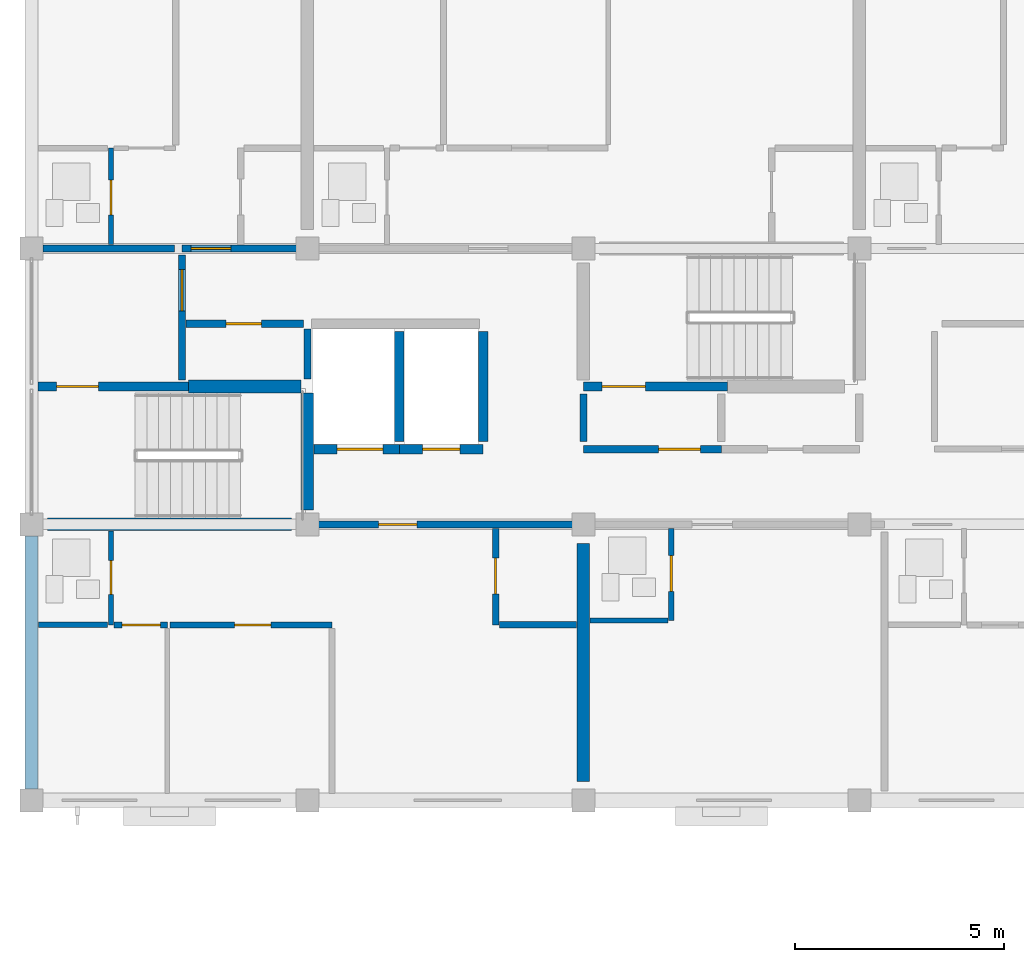
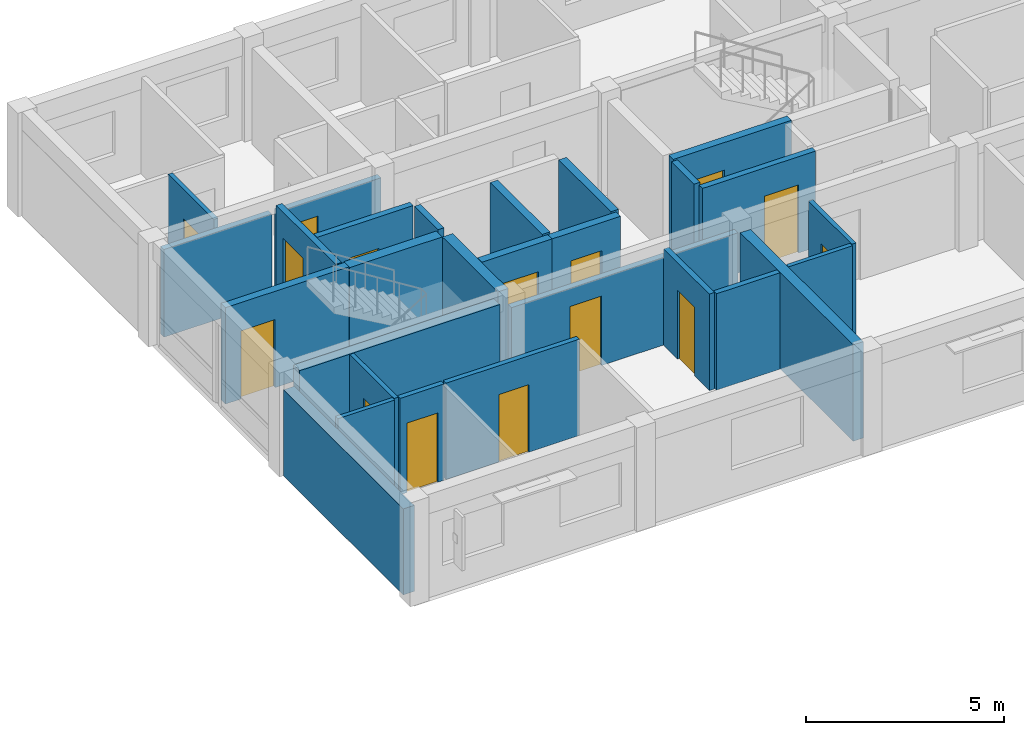
# One storey, part 34 of 53: 28 walls, 15 doors, 15 openings.
"""IFC4 building model written with IfcOpenShell, lengths in metres."""

import ifcopenshell
import ifcopenshell.guid

model = None  # the IFC model being written
_history = None  # IfcOwnerHistory: only IFC2X3 demands one
_inside = {}  # id of a spatial element -> (the spatial element, [elements in it])
_under = {}  # id of a project, library or spatial element -> (it, [spatial elements below it])
_declared = {}  # id of a project -> (the project, [libraries it declares])
_typed = {}  # id of a type object -> (the type object, [elements of that type])
_made_of = {}  # id of a material, layer set ... -> (it, [elements and type objects made of it])


def new_model(schema):
    """Start an empty IFC model of exactly this schema.

    Asked for "IFC4X3", IfcOpenShell would pick the latest addendum, in which some entities
    have other attributes; the version numbers below select the first issue.
    IFC2X3 requires an IfcOwnerHistory on every rooted entity: one is made here for all.
    """
    global model, _history
    if schema == "IFC4X3":
        model = ifcopenshell.file(schema_version=(4, 3, 0, 0))
    else:
        model = ifcopenshell.file(schema=schema)
    _inside.clear()
    _under.clear()
    _declared.clear()
    _typed.clear()
    _made_of.clear()
    _history = None
    if model.schema == "IFC2X3":
        org = make("IfcOrganization", Name="unknown")
        user = make(
            "IfcPersonAndOrganization",
            ThePerson=make("IfcPerson", FamilyName="unknown"),
            TheOrganization=org,
        )
        app = make(
            "IfcApplication",
            ApplicationDeveloper=org,
            Version="unknown",
            ApplicationFullName="unknown",
            ApplicationIdentifier="unknown",
        )
        _history = make(
            "IfcOwnerHistory",
            OwningUser=user,
            OwningApplication=app,
            ChangeAction="ADDED",
            CreationDate=0,
        )
    return model


def make(cls, **values):
    """One entity of the class cls with the attributes given. An attribute that is None is left unset."""
    return model.create_entity(
        cls, **{name: value for name, value in values.items() if value is not None}
    )


def rooted(cls, **values):
    """An entity with a GlobalId (a new one), such as an element, a storey or a relation."""
    return make(cls, GlobalId=ifcopenshell.guid.new(), OwnerHistory=_history, **values)


def si_unit(unit_type, name, prefix=None):
    """IfcSIUnit, for example si_unit("LENGTHUNIT", "METRE", prefix="MILLI")."""
    return make("IfcSIUnit", UnitType=unit_type, Prefix=prefix, Name=name)


def assignment(units):
    """IfcUnitAssignment: the units of a project."""
    return None if units is None else make("IfcUnitAssignment", Units=units)


def point(xyz):
    """IfcCartesianPoint."""
    return None if xyz is None else make("IfcCartesianPoint", Coordinates=xyz)


def direction(xyz):
    """IfcDirection."""
    return None if xyz is None else make("IfcDirection", DirectionRatios=xyz)


def frame(location, z_axis=None, x_axis=None):
    """IfcAxis2Placement3D, a coordinate frame: its origin and axes. An axis left out is left unset."""
    return make(
        "IfcAxis2Placement3D",
        Location=point(location),
        Axis=direction(z_axis),
        RefDirection=direction(x_axis),
    )


def frame_2d(location, x_axis=None):
    """IfcAxis2Placement2D, a coordinate frame in the plane: its origin and x axis."""
    return make(
        "IfcAxis2Placement2D", Location=point(location), RefDirection=direction(x_axis)
    )


def origin():
    """The frame at (0, 0, 0) with its axes left unset."""
    return frame((0.0, 0.0, 0.0))


def place(relative_to, where):
    """IfcLocalPlacement: puts the frame where relative to a parent placement (None: the world)."""
    return make(
        "IfcLocalPlacement", PlacementRelTo=relative_to, RelativePlacement=where
    )


def context(
    kind, dimensions, precision=None, world=None, true_north=None, identifier=None
):
    """IfcGeometricRepresentationContext, for example the 3D "Model" context."""
    return make(
        "IfcGeometricRepresentationContext",
        ContextIdentifier=identifier,
        ContextType=kind,
        CoordinateSpaceDimension=dimensions,
        Precision=precision,
        WorldCoordinateSystem=world,
        TrueNorth=true_north,
    )


def subcontext(parent, identifier, kind, view, scale=None):
    """IfcGeometricRepresentationSubContext, for example "Body" below "Model"."""
    return make(
        "IfcGeometricRepresentationSubContext",
        ContextIdentifier=identifier,
        ContextType=kind,
        ParentContext=parent,
        TargetScale=scale,
        TargetView=view,
    )


def project(units=None, contexts=None):
    """IfcProject with its units and contexts."""
    return rooted(
        "IfcProject",
        Name="project",
        RepresentationContexts=contexts,
        UnitsInContext=assignment(units),
    )


def spatial(cls, under=None, at=None, **own):
    """A site, building, storey or space (cls), placed at a placement, below another one or the project."""
    s = rooted(cls, ObjectPlacement=at, **own)
    if under is not None:
        _under.setdefault(under.id(), (under, []))[1].append(s)
    return s


def profile(cls, at=None, kind="AREA", **sizes):
    """A parametric profile (cls). Its sizes go by their IFC names, for example OverallWidth=200.0."""
    return make(cls, ProfileType=kind, Position=at, **sizes)


def rectangle(**sizes):
    """IfcRectangleProfileDef."""
    return profile("IfcRectangleProfileDef", **sizes)


def extrude(swept, where, along, depth):
    """IfcExtrudedAreaSolid: the profile swept, set in the frame where, extruded along a direction by depth."""
    return make(
        "IfcExtrudedAreaSolid",
        SweptArea=swept,
        Position=where,
        ExtrudedDirection=direction(along),
        Depth=depth,
    )


def shape(context_of_items, identifier, shape_type, items):
    """IfcShapeRepresentation: the items that make up one representation, for example the "Body"."""
    return make(
        "IfcShapeRepresentation",
        ContextOfItems=context_of_items,
        RepresentationIdentifier=identifier,
        RepresentationType=shape_type,
        Items=items,
    )


def material(Name=None, Category=None):
    """IfcMaterial."""
    return make("IfcMaterial", Name=Name, Category=Category)


def layer(
    of_material, thickness, ventilated=None, Name=None, Category=None, Priority=None
):
    """IfcMaterialLayer: one layer of a wall or slab, of a material (None: an air gap)."""
    return make(
        "IfcMaterialLayer",
        Material=of_material,
        LayerThickness=thickness,
        IsVentilated=ventilated,
        Name=Name,
        Category=Category,
        Priority=Priority,
    )


def layer_set(layers, Name=None):
    """IfcMaterialLayerSet."""
    return make("IfcMaterialLayerSet", MaterialLayers=layers, LayerSetName=Name)


def made_of(thing, what):
    """Note that an element or type object is made of a material, layer set ...; save() writes the relation."""
    if what is not None:
        _made_of.setdefault(what.id(), (what, []))[1].append(thing)
    return thing


def type_object(cls, material=None, **own):
    """A type object (cls), such as IfcWallType, which elements share."""
    return made_of(rooted(cls, **own), material)


def element(
    cls,
    number,
    at=None,
    inside=None,
    cuts=None,
    type_object=None,
    material=None,
    context=None,
    identifier="Body",
    shape_type=None,
    held_by="IfcProductDefinitionShape",
    body=None,
    shapes=None,
    **own,
):
    """One element of the class cls, such as IfcWall. Its Tag is "e" and its number.

    at: its placement. inside: the storey or other place that contains it. cuts: it is an
    opening in that element (IfcRelVoidsElement). A single representation is given by context,
    identifier, shape_type and body (its items); several are given by shapes. held_by: the class
    of the entity that holds the representations. save() writes the other relations.
    """
    e = rooted(cls, Tag="e%d" % number, ObjectPlacement=at, **own)
    if body is not None:
        shapes = [shape(context, identifier, shape_type, body)]
    if shapes is not None:
        e.Representation = make(held_by, Representations=shapes)
    if inside is not None:
        _inside.setdefault(inside.id(), (inside, []))[1].append(e)
    if cuts is not None:
        rooted(
            "IfcRelVoidsElement", RelatingBuildingElement=cuts, RelatedOpeningElement=e
        )
    if type_object is not None:
        _typed.setdefault(type_object.id(), (type_object, []))[1].append(e)
    return made_of(e, material)


def fill(opening, filler):
    """IfcRelFillsElement: the door or window that sits in an opening."""
    return rooted(
        "IfcRelFillsElement",
        RelatingOpeningElement=opening,
        RelatedBuildingElement=filler,
    )


def aggregate(whole, parts):
    """IfcRelAggregates: a whole, such as a stair, and the parts it consists of."""
    return rooted("IfcRelAggregates", RelatingObject=whole, RelatedObjects=parts)


def save(model, path):
    """Write the relations noted so far, then the file.

    IfcRelAggregates (storeys below a building ...), IfcRelContainedInSpatialStructure (elements
    in a storey), IfcRelDefinesByType, IfcRelAssociatesMaterial and IfcRelDeclares: one each for
    every whole, place, type object, material and project.
    """
    for whole, parts in _under.values():
        aggregate(whole, parts)
    for where, things in _inside.values():
        rooted(
            "IfcRelContainedInSpatialStructure",
            RelatedElements=things,
            RelatingStructure=where,
        )
    for kind, things in _typed.values():
        rooted("IfcRelDefinesByType", RelatedObjects=things, RelatingType=kind)
    for what, things in _made_of.values():
        rooted("IfcRelAssociatesMaterial", RelatedObjects=things, RelatingMaterial=what)
    for by, libraries in _declared.values():
        rooted("IfcRelDeclares", RelatingContext=by, RelatedDefinitions=libraries)
    model.write(path)


model = new_model("IFC4")

# Units and contexts
model_context = context("Model", 3, precision=1e-05, world=origin(), true_north=direction((0.0, 1.0)))
body_context = subcontext(model_context, "Body", "Model", "MODEL_VIEW")
ifc_project = project(units=[si_unit("LENGTHUNIT", "METRE"), si_unit("AREAUNIT", "SQUARE_METRE"), si_unit("VOLUMEUNIT", "CUBIC_METRE"), si_unit("PLANEANGLEUNIT", "RADIAN"), si_unit("MASSUNIT", "GRAM", prefix="KILO")], contexts=[model_context])

# Site, building, storey
site_placement = place(None, origin())
site = spatial("IfcSite", under=ifc_project, at=site_placement, CompositionType="ELEMENT")
building_placement = place(site_placement, origin())
building = spatial("IfcBuilding", under=site, at=building_placement, Name="Kernevlak Ridge Housing Community", CompositionType="ELEMENT")
storey_placement = place(building_placement, frame((0.0, 0.0, 24.39990234375)))
storey = spatial("IfcBuildingStorey", under=building, at=storey_placement, Name="L07", CompositionType="ELEMENT", Elevation=24.39990234375)

# Wall
ifc_material_1 = material(Name="Concrete block masonry M10", Category="masonry")
ifc_layer_1 = layer(ifc_material_1, 0.320068359375, Name="Concrete block masonry M10")
ifc_layer_set_1 = layer_set([ifc_layer_1], Name="Concrete block masonry M10")
wall_type_1 = type_object("IfcWallType", Name="EW-02", PredefinedType="STANDARD", material=ifc_layer_set_1)
wall_1_placement = place(storey_placement, frame((15.60009765625, 76.27490234375, 0.0), z_axis=(0.0, 0.0, 1.0), x_axis=(0.0, 1.0, 0.0)))
element("IfcWall", 1, at=wall_1_placement, inside=storey, type_object=wall_type_1, Name="Exterior wall EW-02 L07 121", PredefinedType="STANDARD", context=body_context, shape_type="SweptSolid", body=[
    extrude(rectangle(XDim=6.050048828125, YDim=0.320068359375, at=frame_2d((3.02490234375, 0.0))), origin(), (0.0, 0.0, 1.0), 2.650146484375),
])

# Wall, opening, door
ifc_material_2 = material(Name="Concrete C35/45", Category="concrete")
ifc_layer_2 = layer(ifc_material_2, 0.22509765625, Name="Concrete C35/45")
ifc_layer_set_2 = layer_set([ifc_layer_2], Name="Concrete C35/45")
wall_type_2 = type_object("IfcWallType", Name="PW-01", PredefinedType="STANDARD", material=ifc_layer_set_2)
wall_2_placement = place(storey_placement, frame((15.75, 85.89990234375, 0.0), z_axis=(0.0, 0.0, 1.0), x_axis=(1.0, 0.0, 0.0)))
wall_2 = element("IfcWall", 2, at=wall_2_placement, inside=storey, type_object=wall_type_2, Name="Interior wall PW-01 WAL-INT-L07-0439", PredefinedType="STANDARD", context=body_context, shape_type="SweptSolid", body=[
    extrude(rectangle(XDim=3.60009765625, YDim=0.22509765625, at=frame_2d((1.800048828125, 0.0))), origin(), (0.0, 0.0, 1.0), 2.97021484375),
])
opening_1_placement = place(wall_2_placement, frame((0.449951171875, 0.0, 0.0)))
opening_1 = element("IfcOpeningElement", 3, at=opening_1_placement, cuts=wall_2, Name="Opening D222", PredefinedType="OPENING", context=body_context, shape_type="SweptSolid", body=[
    extrude(rectangle(XDim=1.0, YDim=2.10009765625, at=frame_2d((0.5, 1.050048828125))), frame((0.0, 0.12255859375, 0.0), z_axis=(0.0, -1.0, 0.0), x_axis=(1.0, 0.0, 0.0)), (0.0, 0.0, 1.0), 0.2451171875),
])
ifc_material_3 = material(Name="Fire-rated sheet steel leaf", Category="steel")
door_type_1 = type_object("IfcDoorType", Name="DT-05", OperationType="NOTDEFINED", PredefinedType="DOOR", material=ifc_material_3)
door_1_placement = place(opening_1_placement, origin())
door_1 = element("IfcDoor", 4, at=door_1_placement, inside=storey, type_object=door_type_1, Name="Block A Stair 1 fire door D222", OperationType="SINGLE_SWING_RIGHT", OverallHeight=2.10009765625, OverallWidth=1.0, PredefinedType="DOOR", context=body_context, shape_type="SweptSolid", body=[
    extrude(rectangle(XDim=1.0, YDim=2.10009765625, at=frame_2d((0.5, 1.050048828125))), frame((0.0, 0.02490234375, 0.0), z_axis=(0.0, -1.0, 0.0), x_axis=(1.0, 0.0, 0.0)), (0.0, 0.0, 1.0), 0.050048828125),
])
fill(opening_1, door_1)

wall_3_placement = place(storey_placement, frame((22.360107421875, 84.39990234375, 0.0), z_axis=(0.0, 0.0, 1.0), x_axis=(1.0, 0.0, 0.0)))
wall_3 = element("IfcWall", 5, at=wall_3_placement, inside=storey, type_object=wall_type_2, Name="Interior wall PW-01 WAL-INT-L07-0443", PredefinedType="STANDARD", context=body_context, shape_type="SweptSolid", body=[
    extrude(rectangle(XDim=2.039794921875, YDim=0.22509765625, at=frame_2d((1.02001953125, 0.0))), origin(), (0.0, 0.0, 1.0), 2.97021484375),
])
opening_2_placement = place(wall_3_placement, frame((0.550048828125, 0.0, 0.0)))
opening_2 = element("IfcOpeningElement", 6, at=opening_2_placement, cuts=wall_3, Name="Opening LD16", PredefinedType="OPENING", context=body_context, shape_type="SweptSolid", body=[
    extrude(rectangle(XDim=1.10009765625, YDim=2.10009765625, at=frame_2d((0.550048828125, 1.050048828125))), frame((0.0, 0.12255859375, 0.0), z_axis=(0.0, -1.0, 0.0), x_axis=(1.0, 0.0, 0.0)), (0.0, 0.0, 1.0), 0.2451171875),
])
ifc_material_4 = material(Name="Stainless steel EN 1.4401", Category="steel")
door_type_2 = type_object("IfcDoorType", Name="DT-LD1", OperationType="DOUBLE_DOOR_SLIDING", PredefinedType="DOOR", material=ifc_material_4)
door_2_placement = place(opening_2_placement, origin())
door_2 = element("IfcDoor", 7, at=door_2_placement, inside=storey, type_object=door_type_2, Name="Lift LF-A1 landing door LD16", OperationType="DOUBLE_DOOR_SLIDING", OverallHeight=2.10009765625, OverallWidth=1.10009765625, PredefinedType="DOOR", context=body_context, shape_type="SweptSolid", body=[
    extrude(rectangle(XDim=1.10009765625, YDim=2.10009765625, at=frame_2d((0.550048828125, 1.050048828125))), frame((0.0, 0.02490234375, 0.0), z_axis=(0.0, -1.0, 0.0), x_axis=(1.0, 0.0, 0.0)), (0.0, 0.0, 1.0), 0.050048828125),
])
fill(opening_2, door_2)

wall_4_placement = place(storey_placement, frame((24.39990234375, 84.39990234375, 0.0), z_axis=(0.0, 0.0, 1.0), x_axis=(1.0, 0.0, 0.0)))
wall_4 = element("IfcWall", 8, at=wall_4_placement, inside=storey, type_object=wall_type_2, Name="Interior wall PW-01 WAL-INT-L07-0444", PredefinedType="STANDARD", context=body_context, shape_type="SweptSolid", body=[
    extrude(rectangle(XDim=2.0, YDim=0.22509765625, at=frame_2d((1.0, 0.0))), origin(), (0.0, 0.0, 1.0), 2.97021484375),
])
opening_3_placement = place(wall_4_placement, frame((0.550048828125, 0.0, 0.0)))
opening_3 = element("IfcOpeningElement", 9, at=opening_3_placement, cuts=wall_4, Name="Opening LD17", PredefinedType="OPENING", context=body_context, shape_type="SweptSolid", body=[
    extrude(rectangle(XDim=0.89990234375, YDim=2.10009765625, at=frame_2d((0.449951171875, 1.050048828125))), frame((0.0, 0.12255859375, 0.0), z_axis=(0.0, -1.0, 0.0), x_axis=(1.0, 0.0, 0.0)), (0.0, 0.0, 1.0), 0.2451171875),
])
door_type_3 = type_object("IfcDoorType", Name="DT-LD2", OperationType="DOUBLE_DOOR_SLIDING", PredefinedType="DOOR", material=ifc_material_4)
door_3_placement = place(opening_3_placement, origin())
door_3 = element("IfcDoor", 10, at=door_3_placement, inside=storey, type_object=door_type_3, Name="Lift LF-A2 landing door LD17", OperationType="DOUBLE_DOOR_SLIDING", OverallHeight=2.10009765625, OverallWidth=0.89990234375, PredefinedType="DOOR", context=body_context, shape_type="SweptSolid", body=[
    extrude(rectangle(XDim=0.89990234375, YDim=2.10009765625, at=frame_2d((0.449951171875, 1.050048828125))), frame((0.0, 0.02490234375, 0.0), z_axis=(0.0, -1.0, 0.0), x_axis=(1.0, 0.0, 0.0)), (0.0, 0.0, 1.0), 0.050048828125),
])
fill(opening_3, door_3)

# Walls
for number, where, z_axis, x_axis, name in (
    (11, (24.39990234375, 84.580078125, 0.0), (0.0, 0.0, 1.0), (0.0, 1.0, 0.0), "Interior wall PW-01 WAL-INT-L07-0447"),
    (12, (26.39990234375, 84.580078125, 0.0), (0.0, 0.0, 1.0), (0.0, 1.0, 0.0), "Interior wall PW-01 WAL-INT-L07-0448"),
):
    element("IfcWall", number, at=place(storey_placement, frame(where, z_axis=z_axis, x_axis=x_axis)), inside=storey, type_object=wall_type_2, Name=name, PredefinedType="STANDARD", context=body_context, shape_type="SweptSolid", body=[
        extrude(rectangle(XDim=2.639892578125, YDim=0.22509765625, at=frame_2d((1.31982421875, 0.0))), origin(), (0.0, 0.0, 1.0), 2.97021484375),
    ])

# Wall, opening, door
wall_5_placement = place(storey_placement, frame((28.800048828125, 85.89990234375, 0.0), z_axis=(0.0, 0.0, 1.0), x_axis=(1.0, 0.0, 0.0)))
wall_5 = element("IfcWall", 13, at=wall_5_placement, inside=storey, type_object=wall_type_2, Name="Interior wall PW-01 WAL-INT-L07-0449", PredefinedType="STANDARD", context=body_context, shape_type="SweptSolid", body=[
    extrude(rectangle(XDim=3.449951171875, YDim=0.22509765625, at=frame_2d((1.72509765625, 0.0))), origin(), (0.0, 0.0, 1.0), 2.97021484375),
])
opening_4_placement = place(wall_5_placement, frame((0.449951171875, 0.0, 0.0)))
opening_4 = element("IfcOpeningElement", 14, at=opening_4_placement, cuts=wall_5, Name="Opening D225", PredefinedType="OPENING", context=body_context, shape_type="SweptSolid", body=[
    extrude(rectangle(XDim=1.0400390625, YDim=2.1201171875, at=frame_2d((0.52001953125, 1.06005859375))), frame((0.0, 0.12255859375, 0.0), z_axis=(0.0, -1.0, 0.0), x_axis=(1.0, 0.0, 0.0)), (0.0, 0.0, 1.0), 0.2451171875),
])
door_type_4 = type_object("IfcDoorType", Name="DT-16", OperationType="NOTDEFINED", PredefinedType="DOOR", material=ifc_material_3)
door_4_placement = place(opening_4_placement, origin())
door_4 = element("IfcDoor", 15, at=door_4_placement, inside=storey, type_object=door_type_4, Name="Block A Stair 2 fire door D225", OperationType="SINGLE_SWING_LEFT", OverallHeight=2.1201171875, OverallWidth=1.0400390625, PredefinedType="DOOR", context=body_context, shape_type="SweptSolid", body=[
    extrude(rectangle(XDim=1.0400390625, YDim=2.1201171875, at=frame_2d((0.52001953125, 1.06005859375))), frame((0.0, 0.02490234375, 0.0), z_axis=(0.0, -1.0, 0.0), x_axis=(1.0, 0.0, 0.0)), (0.0, 0.0, 1.0), 0.050048828125),
])
fill(opening_4, door_4)

ifc_layer_3 = layer(ifc_material_1, 0.175048828125, Name="Concrete block masonry M10")
ifc_layer_set_3 = layer_set([ifc_layer_3], Name="Concrete block masonry M10")
wall_type_3 = type_object("IfcWallType", Name="PW-02", PredefinedType="PARTITIONING", material=ifc_layer_set_3)
wall_6_placement = place(storey_placement, frame((19.199951171875, 86.050048828125, 0.0), z_axis=(0.0, 0.0, 1.0), x_axis=(0.0, 1.0, 0.0)))
wall_6 = element("IfcWall", 16, at=wall_6_placement, inside=storey, type_object=wall_type_3, Name="Interior wall PW-02 WAL-INT-L07-0440", PredefinedType="PARTITIONING", context=body_context, shape_type="SweptSolid", body=[
    extrude(rectangle(XDim=3.0, YDim=0.175048828125, at=frame_2d((1.5, 0.0))), origin(), (0.0, 0.0, 1.0), 2.97021484375),
])
opening_5_placement = place(wall_6_placement, frame((1.64990234375, 0.0, 0.0)))
opening_5 = element("IfcOpeningElement", 17, at=opening_5_placement, cuts=wall_6, Name="Opening D223", PredefinedType="OPENING", context=body_context, shape_type="SweptSolid", body=[
    extrude(rectangle(XDim=1.0, YDim=2.159912109375, at=frame_2d((0.5, 1.080078125))), frame((0.0, 0.097412109375, 0.0), z_axis=(0.0, -1.0, 0.0), x_axis=(1.0, 0.0, 0.0)), (0.0, 0.0, 1.0), 0.195068359375),
])
door_type_5 = type_object("IfcDoorType", Name="DT-15", OperationType="NOTDEFINED", PredefinedType="DOOR", material=ifc_material_3)
door_5_placement = place(opening_5_placement, origin())
door_5 = element("IfcDoor", 18, at=door_5_placement, inside=storey, type_object=door_type_5, Name="Block A Firefighting lobby 1 door D223", OperationType="SINGLE_SWING_LEFT", OverallHeight=2.159912109375, OverallWidth=1.0, PredefinedType="DOOR", context=body_context, shape_type="SweptSolid", body=[
    extrude(rectangle(XDim=1.0, YDim=2.159912109375, at=frame_2d((0.5, 1.080078125))), frame((0.0, 0.02490234375, 0.0), z_axis=(0.0, -1.0, 0.0), x_axis=(1.0, 0.0, 0.0)), (0.0, 0.0, 1.0), 0.050048828125),
])
fill(opening_5, door_5)

wall_7_placement = place(storey_placement, frame((19.300048828125, 87.39990234375, 0.0), z_axis=(0.0, 0.0, 1.0), x_axis=(1.0, 0.0, 0.0)))
wall_7 = element("IfcWall", 19, at=wall_7_placement, inside=storey, type_object=wall_type_3, Name="Interior wall PW-02 WAL-INT-L07-0441", PredefinedType="PARTITIONING", context=body_context, shape_type="SweptSolid", body=[
    extrude(rectangle(XDim=2.800048828125, YDim=0.175048828125, at=frame_2d((1.39990234375, 0.0))), origin(), (0.0, 0.0, 1.0), 2.97021484375),
])
opening_6_placement = place(wall_7_placement, frame((0.949951171875, 0.0, 0.0)))
opening_6 = element("IfcOpeningElement", 20, at=opening_6_placement, cuts=wall_7, Name="Opening D224", PredefinedType="OPENING", context=body_context, shape_type="SweptSolid", body=[
    extrude(rectangle(XDim=0.85009765625, YDim=2.0, at=frame_2d((0.425048828125, 1.0))), frame((0.0, 0.097412109375, 0.0), z_axis=(0.0, -1.0, 0.0), x_axis=(1.0, 0.0, 0.0)), (0.0, 0.0, 1.0), 0.195068359375),
])
door_type_6 = type_object("IfcDoorType", Name="DT-07", OperationType="NOTDEFINED", PredefinedType="DOOR", material=ifc_material_3)
door_6_placement = place(opening_6_placement, origin())
door_6 = element("IfcDoor", 21, at=door_6_placement, inside=storey, type_object=door_type_6, Name="Block A Riser shaft door D224", OperationType="SINGLE_SWING_RIGHT", OverallHeight=2.0, OverallWidth=0.85009765625, PredefinedType="DOOR", context=body_context, shape_type="SweptSolid", body=[
    extrude(rectangle(XDim=0.85009765625, YDim=2.0, at=frame_2d((0.425048828125, 1.0))), frame((0.0, 0.02490234375, 0.0), z_axis=(0.0, -1.0, 0.0), x_axis=(1.0, 0.0, 0.0)), (0.0, 0.0, 1.0), 0.050048828125),
])
fill(opening_6, door_6)

# Wall
wall_8_placement = place(storey_placement, frame((22.199951171875, 86.080078125, 0.0), z_axis=(0.0, 0.0, 1.0), x_axis=(0.0, 1.0, 0.0)))
element("IfcWall", 22, at=wall_8_placement, inside=storey, type_object=wall_type_3, Name="Interior wall PW-02 WAL-INT-L07-0442", PredefinedType="PARTITIONING", context=body_context, shape_type="SweptSolid", body=[
    extrude(rectangle(XDim=1.18994140625, YDim=0.175048828125, at=frame_2d((0.594970703125, 0.0))), origin(), (0.0, 0.0, 1.0), 2.97021484375),
])

# Wall, opening, door
wall_9_placement = place(storey_placement, frame((28.800048828125, 84.39990234375, 0.0), z_axis=(0.0, 0.0, 1.0), x_axis=(1.0, 0.0, 0.0)))
wall_9 = element("IfcWall", 23, at=wall_9_placement, inside=storey, type_object=wall_type_3, Name="Interior wall PW-02 WAL-INT-L07-0450", PredefinedType="PARTITIONING", context=body_context, shape_type="SweptSolid", body=[
    extrude(rectangle(XDim=3.300048828125, YDim=0.175048828125, at=frame_2d((1.64990234375, 0.0))), origin(), (0.0, 0.0, 1.0), 2.97021484375),
])
opening_7_placement = place(wall_9_placement, frame((1.800048828125, 0.0, 0.0)))
opening_7 = element("IfcOpeningElement", 24, at=opening_7_placement, cuts=wall_9, Name="Opening D226", PredefinedType="OPENING", context=body_context, shape_type="SweptSolid", body=[
    extrude(rectangle(XDim=1.0, YDim=2.10009765625, at=frame_2d((0.5, 1.050048828125))), frame((0.0, 0.097412109375, 0.0), z_axis=(0.0, -1.0, 0.0), x_axis=(1.0, 0.0, 0.0)), (0.0, 0.0, 1.0), 0.195068359375),
])
door_7_placement = place(opening_7_placement, origin())
door_7 = element("IfcDoor", 25, at=door_7_placement, inside=storey, type_object=door_type_1, Name="Block A Firefighting lobby 2 door D226", OperationType="SINGLE_SWING_RIGHT", OverallHeight=2.10009765625, OverallWidth=1.0, PredefinedType="DOOR", context=body_context, shape_type="SweptSolid", body=[
    extrude(rectangle(XDim=1.0, YDim=2.10009765625, at=frame_2d((0.5, 1.050048828125))), frame((0.0, 0.02490234375, 0.0), z_axis=(0.0, -1.0, 0.0), x_axis=(1.0, 0.0, 0.0)), (0.0, 0.0, 1.0), 0.050048828125),
])
fill(opening_7, door_7)

# Wall
wall_10_placement = place(storey_placement, frame((28.800048828125, 84.580078125, 0.0), z_axis=(0.0, 0.0, 1.0), x_axis=(0.0, 1.0, 0.0)))
element("IfcWall", 26, at=wall_10_placement, inside=storey, type_object=wall_type_3, Name="Interior wall PW-02 WAL-INT-L07-0452", PredefinedType="PARTITIONING", context=body_context, shape_type="SweptSolid", body=[
    extrude(rectangle(XDim=1.139892578125, YDim=0.175048828125, at=frame_2d((0.56982421875, 0.0))), origin(), (0.0, 0.0, 1.0), 2.97021484375),
])

# Wall, opening, door
wall_11_placement = place(storey_placement, frame((22.199951171875, 82.60009765625, 0.0), z_axis=(0.0, 0.0, 1.0), x_axis=(1.0, 0.0, 0.0)))
wall_11 = element("IfcWall", 27, at=wall_11_placement, inside=storey, type_object=wall_type_3, Name="Interior wall PW-02 WAL-INT-L07-0460", PredefinedType="PARTITIONING", context=body_context, shape_type="SweptSolid", body=[
    extrude(rectangle(XDim=6.60009765625, YDim=0.175048828125, at=frame_2d((3.300048828125, 0.0))), origin(), (0.0, 0.0, 1.0), 2.7001953125),
])
opening_8_placement = place(wall_11_placement, frame((1.699951171875, 0.0, 0.0)))
opening_8 = element("IfcOpeningElement", 28, at=opening_8_placement, cuts=wall_11, Name="Opening D230", PredefinedType="OPENING", context=body_context, shape_type="SweptSolid", body=[
    extrude(rectangle(XDim=0.919921875, YDim=2.139892578125, at=frame_2d((0.4599609375, 1.06982421875))), frame((0.0, 0.097412109375, 0.0), z_axis=(0.0, -1.0, 0.0), x_axis=(1.0, 0.0, 0.0)), (0.0, 0.0, 1.0), 0.195068359375),
])
ifc_material_5 = material(Name="Hardwood timber solid-core fire leaf", Category="wood")
door_type_7 = type_object("IfcDoorType", Name="DT-20", OperationType="NOTDEFINED", PredefinedType="DOOR", material=ifc_material_5)
door_8_placement = place(opening_8_placement, origin())
door_8 = element("IfcDoor", 29, at=door_8_placement, inside=storey, type_object=door_type_7, Name="Flat A0711 entrance fire door D230", OperationType="SINGLE_SWING_RIGHT", OverallHeight=2.139892578125, OverallWidth=0.919921875, PredefinedType="DOOR", context=body_context, shape_type="SweptSolid", body=[
    extrude(rectangle(XDim=0.919921875, YDim=2.139892578125, at=frame_2d((0.4599609375, 1.06982421875))), frame((0.0, 0.02490234375, 0.0), z_axis=(0.0, -1.0, 0.0), x_axis=(1.0, 0.0, 0.0)), (0.0, 0.0, 1.0), 0.050048828125),
])
fill(opening_8, door_8)

# Wall
wall_12_placement = place(storey_placement, frame((15.8798828125, 89.199951171875, 0.0), z_axis=(0.0, 0.0, 1.0), x_axis=(1.0, 0.0, 0.0)))
element("IfcWall", 30, at=wall_12_placement, inside=storey, type_object=wall_type_3, Name="Interior wall PW-02 WAL-INT-L07-0480", PredefinedType="PARTITIONING", context=body_context, shape_type="SweptSolid", body=[
    extrude(rectangle(XDim=3.14013671875, YDim=0.175048828125, at=frame_2d((1.570068359375, 0.0))), origin(), (0.0, 0.0, 1.0), 2.7001953125),
])

# Wall, opening, door
wall_13_placement = place(storey_placement, frame((19.199951171875, 89.199951171875, 0.0), z_axis=(0.0, 0.0, 1.0), x_axis=(1.0, 0.0, 0.0)))
wall_13 = element("IfcWall", 31, at=wall_13_placement, inside=storey, type_object=wall_type_3, Name="Interior wall PW-02 WAL-INT-L07-0481", PredefinedType="PARTITIONING", context=body_context, shape_type="SweptSolid", body=[
    extrude(rectangle(XDim=3.0, YDim=0.175048828125, at=frame_2d((1.5, 0.0))), origin(), (0.0, 0.0, 1.0), 2.7001953125),
])
opening_9_placement = place(wall_13_placement, frame((0.219970703125, 0.0, 0.0)))
opening_9 = element("IfcOpeningElement", 32, at=opening_9_placement, cuts=wall_13, Name="Opening D241", PredefinedType="OPENING", context=body_context, shape_type="SweptSolid", body=[
    extrude(rectangle(XDim=0.949951171875, YDim=2.159912109375, at=frame_2d((0.47509765625, 1.080078125))), frame((0.0, 0.097412109375, 0.0), z_axis=(0.0, -1.0, 0.0), x_axis=(1.0, 0.0, 0.0)), (0.0, 0.0, 1.0), 0.195068359375),
])
door_type_8 = type_object("IfcDoorType", Name="DT-02", OperationType="NOTDEFINED", PredefinedType="DOOR", material=ifc_material_5)
door_9_placement = place(opening_9_placement, origin())
door_9 = element("IfcDoor", 33, at=door_9_placement, inside=storey, type_object=door_type_8, Name="Flat A0721 entrance fire door D241", OperationType="SINGLE_SWING_LEFT", OverallHeight=2.159912109375, OverallWidth=0.949951171875, PredefinedType="DOOR", context=body_context, shape_type="SweptSolid", body=[
    extrude(rectangle(XDim=0.949951171875, YDim=2.159912109375, at=frame_2d((0.47509765625, 1.080078125))), frame((0.0, 0.02490234375, 0.0), z_axis=(0.0, -1.0, 0.0), x_axis=(1.0, 0.0, 0.0)), (0.0, 0.0, 1.0), 0.050048828125),
])
fill(opening_9, door_9)

ifc_layer_4 = layer(ifc_material_1, 0.14501953125, Name="Concrete block masonry M10")
ifc_layer_set_4 = layer_set([ifc_layer_4], Name="Concrete block masonry M10")
wall_type_4 = type_object("IfcWallType", Name="PW-03", PredefinedType="PARTITIONING", material=ifc_layer_set_4)
wall_14_placement = place(storey_placement, frame((17.572509765625, 80.199951171875, 0.0), z_axis=(0.0, 0.0, 1.0), x_axis=(1.0, 0.0, 0.0)))
wall_14 = element("IfcWall", 34, at=wall_14_placement, inside=storey, type_object=wall_type_4, Name="Interior wall PW-03 WAL-INT-L07-0465", PredefinedType="PARTITIONING", context=body_context, shape_type="SweptSolid", body=[
    extrude(rectangle(XDim=1.277587890625, YDim=0.14501953125, at=frame_2d((0.638671875, 0.0))), origin(), (0.0, 0.0, 1.0), 2.97021484375),
])
opening_10_placement = place(wall_14_placement, frame((0.197509765625, 0.0, 0.0)))
opening_10 = element("IfcOpeningElement", 35, at=opening_10_placement, cuts=wall_14, Name="Opening D233", PredefinedType="OPENING", context=body_context, shape_type="SweptSolid", body=[
    extrude(rectangle(XDim=0.909912109375, YDim=2.139892578125, at=frame_2d((0.455078125, 1.06982421875))), frame((0.0, 0.08251953125, 0.0), z_axis=(0.0, -1.0, 0.0), x_axis=(1.0, 0.0, 0.0)), (0.0, 0.0, 1.0), 0.1650390625),
])
ifc_material_6 = material(Name="Hardwood timber leaf", Category="wood")
door_type_9 = type_object("IfcDoorType", Name="DT-31", OperationType="NOTDEFINED", PredefinedType="DOOR", material=ifc_material_6)
door_10_placement = place(opening_10_placement, origin())
door_10 = element("IfcDoor", 36, at=door_10_placement, inside=storey, type_object=door_type_9, Name="Flat A0711 bedroom door D233", OperationType="SINGLE_SWING_LEFT", OverallHeight=2.139892578125, OverallWidth=0.909912109375, PredefinedType="DOOR", context=body_context, shape_type="SweptSolid", body=[
    extrude(rectangle(XDim=0.909912109375, YDim=2.139892578125, at=frame_2d((0.455078125, 1.06982421875))), frame((0.0, 0.02490234375, 0.0), z_axis=(0.0, -1.0, 0.0), x_axis=(1.0, 0.0, 0.0)), (0.0, 0.0, 1.0), 0.050048828125),
])
fill(opening_10, door_10)

wall_15_placement = place(storey_placement, frame((18.91259765625, 80.199951171875, 0.0), z_axis=(0.0, 0.0, 1.0), x_axis=(1.0, 0.0, 0.0)))
wall_15 = element("IfcWall", 37, at=wall_15_placement, inside=storey, type_object=wall_type_4, Name="Interior wall PW-03 WAL-INT-L07-0467", PredefinedType="PARTITIONING", context=body_context, shape_type="SweptSolid", body=[
    extrude(rectangle(XDim=3.87939453125, YDim=0.14501953125, at=frame_2d((1.939697265625, 0.0))), origin(), (0.0, 0.0, 1.0), 2.97021484375),
])
opening_11_placement = place(wall_15_placement, frame((1.5458984375, 0.0, 0.0)))
opening_11 = element("IfcOpeningElement", 38, at=opening_11_placement, cuts=wall_15, Name="Opening D234", PredefinedType="OPENING", context=body_context, shape_type="SweptSolid", body=[
    extrude(rectangle(XDim=0.8701171875, YDim=2.080078125, at=frame_2d((0.43505859375, 1.0400390625))), frame((0.0, 0.08251953125, 0.0), z_axis=(0.0, -1.0, 0.0), x_axis=(1.0, 0.0, 0.0)), (0.0, 0.0, 1.0), 0.1650390625),
])
door_type_10 = type_object("IfcDoorType", Name="DT-32", OperationType="NOTDEFINED", PredefinedType="DOOR", material=ifc_material_6)
door_11_placement = place(opening_11_placement, origin())
door_11 = element("IfcDoor", 39, at=door_11_placement, inside=storey, type_object=door_type_10, Name="Flat A0711 bedroom door D234", OperationType="SINGLE_SWING_RIGHT", OverallHeight=2.080078125, OverallWidth=0.8701171875, PredefinedType="DOOR", context=body_context, shape_type="SweptSolid", body=[
    extrude(rectangle(XDim=0.8701171875, YDim=2.080078125, at=frame_2d((0.43505859375, 1.0400390625))), frame((0.0, 0.02490234375, 0.0), z_axis=(0.0, -1.0, 0.0), x_axis=(1.0, 0.0, 0.0)), (0.0, 0.0, 1.0), 0.050048828125),
])
fill(opening_11, door_11)

ifc_material_7 = material(Name="Gypsum plasterboard EN 520", Category="gypsum")
ifc_layer_5 = layer(ifc_material_7, 0.125, Name="Gypsum plasterboard EN 520")
ifc_layer_set_5 = layer_set([ifc_layer_5], Name="Gypsum plasterboard EN 520")
wall_type_5 = type_object("IfcWallType", Name="PW-04", PredefinedType="PARTITIONING", material=ifc_layer_set_5)
wall_16_placement = place(storey_placement, frame((17.5, 82.43994140625, 0.0), z_axis=(0.0, 0.0, 1.0), x_axis=(0.0, -1.0, 0.0)))
wall_16 = element("IfcWall", 40, at=wall_16_placement, inside=storey, type_object=wall_type_5, Name="Interior wall PW-04 WAL-INT-L07-0461", PredefinedType="PARTITIONING", context=body_context, shape_type="SweptSolid", body=[
    extrude(rectangle(XDim=2.239990234375, YDim=0.125, at=frame_2d((1.1201171875, 0.0))), origin(), (0.0, 0.0, 1.0), 2.97021484375),
])
opening_12_placement = place(wall_16_placement, frame((0.699951171875, 0.0, 0.0)))
opening_12 = element("IfcOpeningElement", 41, at=opening_12_placement, cuts=wall_16, Name="Opening D231", PredefinedType="OPENING", context=body_context, shape_type="SweptSolid", body=[
    extrude(rectangle(XDim=0.820068359375, YDim=2.050048828125, at=frame_2d((0.41015625, 1.02490234375))), frame((0.0, 0.072509765625, 0.0), z_axis=(0.0, -1.0, 0.0), x_axis=(1.0, 0.0, 0.0)), (0.0, 0.0, 1.0), 0.14501953125),
])
ifc_material_8 = material(Name="Hardwood timber moisture-resistant leaf", Category="wood")
door_type_11 = type_object("IfcDoorType", Name="DT-30", OperationType="NOTDEFINED", PredefinedType="DOOR", material=ifc_material_8)
door_12_placement = place(opening_12_placement, origin())
door_12 = element("IfcDoor", 42, at=door_12_placement, inside=storey, type_object=door_type_11, Name="Flat A0711 bathroom door D231", OperationType="SINGLE_SWING_LEFT", OverallHeight=2.050048828125, OverallWidth=0.820068359375, PredefinedType="DOOR", context=body_context, shape_type="SweptSolid", body=[
    extrude(rectangle(XDim=0.820068359375, YDim=2.050048828125, at=frame_2d((0.41015625, 1.02490234375))), frame((0.0, 0.02490234375, 0.0), z_axis=(0.0, -1.0, 0.0), x_axis=(1.0, 0.0, 0.0)), (0.0, 0.0, 1.0), 0.050048828125),
])
fill(opening_12, door_12)

# Wall
wall_17_placement = place(storey_placement, frame((15.77001953125, 80.199951171875, 0.0), z_axis=(0.0, 0.0, 1.0), x_axis=(1.0, 0.0, 0.0)))
element("IfcWall", 43, at=wall_17_placement, inside=storey, type_object=wall_type_5, Name="Interior wall PW-04 WAL-INT-L07-0462", PredefinedType="PARTITIONING", context=body_context, shape_type="SweptSolid", body=[
    extrude(rectangle(XDim=1.64990234375, YDim=0.125, at=frame_2d((0.824951171875, 0.0))), origin(), (0.0, 0.0, 1.0), 2.97021484375),
])

# Wall, opening, door
wall_18_placement = place(storey_placement, frame((30.89990234375, 82.50244140625, 0.0), z_axis=(0.0, 0.0, 1.0), x_axis=(0.0, -1.0, 0.0)))
wall_18 = element("IfcWall", 44, at=wall_18_placement, inside=storey, type_object=wall_type_5, Name="Interior wall PW-04 WAL-INT-L07-0470", PredefinedType="PARTITIONING", context=body_context, shape_type="SweptSolid", body=[
    extrude(rectangle(XDim=2.202392578125, YDim=0.125, at=frame_2d((1.10107421875, 0.0))), origin(), (0.0, 0.0, 1.0), 2.97021484375),
])
opening_13_placement = place(wall_18_placement, frame((0.64990234375, 0.0, 0.0)))
opening_13 = element("IfcOpeningElement", 45, at=opening_13_placement, cuts=wall_18, Name="Opening D236", PredefinedType="OPENING", context=body_context, shape_type="SweptSolid", body=[
    extrude(rectangle(XDim=0.85009765625, YDim=2.0400390625, at=frame_2d((0.425048828125, 1.02001953125))), frame((0.0, 0.072509765625, 0.0), z_axis=(0.0, -1.0, 0.0), x_axis=(1.0, 0.0, 0.0)), (0.0, 0.0, 1.0), 0.14501953125),
])
door_type_12 = type_object("IfcDoorType", Name="DT-04", OperationType="NOTDEFINED", PredefinedType="DOOR", material=ifc_material_8)
door_13_placement = place(opening_13_placement, origin())
door_13 = element("IfcDoor", 46, at=door_13_placement, inside=storey, type_object=door_type_12, Name="Flat A0712 bathroom door D236", OperationType="SINGLE_SWING_RIGHT", OverallHeight=2.0400390625, OverallWidth=0.85009765625, PredefinedType="DOOR", context=body_context, shape_type="SweptSolid", body=[
    extrude(rectangle(XDim=0.85009765625, YDim=2.0400390625, at=frame_2d((0.425048828125, 1.02001953125))), frame((0.0, 0.02490234375, 0.0), z_axis=(0.0, -1.0, 0.0), x_axis=(1.0, 0.0, 0.0)), (0.0, 0.0, 1.0), 0.050048828125),
])
fill(opening_13, door_13)

# Wall
wall_19_placement = place(storey_placement, frame((28.9599609375, 80.300048828125, 0.0), z_axis=(0.0, 0.0, 1.0), x_axis=(1.0, 0.0, 0.0)))
element("IfcWall", 47, at=wall_19_placement, inside=storey, type_object=wall_type_5, Name="Interior wall PW-04 WAL-INT-L07-0471", PredefinedType="PARTITIONING", context=body_context, shape_type="SweptSolid", body=[
    extrude(rectangle(XDim=1.860107421875, YDim=0.125, at=frame_2d((0.93017578125, 0.0))), origin(), (0.0, 0.0, 1.0), 2.97021484375),
])

# Wall, opening, door
wall_20_placement = place(storey_placement, frame((17.5, 89.297607421875, 0.0), z_axis=(0.0, 0.0, 1.0), x_axis=(0.0, 1.0, 0.0)))
wall_20 = element("IfcWall", 48, at=wall_20_placement, inside=storey, type_object=wall_type_5, Name="Interior wall PW-04 WAL-INT-L07-0482", PredefinedType="PARTITIONING", context=body_context, shape_type="SweptSolid", body=[
    extrude(rectangle(XDim=2.302490234375, YDim=0.125, at=frame_2d((1.1513671875, 0.0))), origin(), (0.0, 0.0, 1.0), 2.97021484375),
])
opening_14_placement = place(wall_20_placement, frame((0.699951171875, 0.0, 0.0)))
opening_14 = element("IfcOpeningElement", 49, at=opening_14_placement, cuts=wall_20, Name="Opening D242", PredefinedType="OPENING", context=body_context, shape_type="SweptSolid", body=[
    extrude(rectangle(XDim=0.840087890625, YDim=2.06005859375, at=frame_2d((0.419921875, 1.030029296875))), frame((0.0, 0.072509765625, 0.0), z_axis=(0.0, -1.0, 0.0), x_axis=(1.0, 0.0, 0.0)), (0.0, 0.0, 1.0), 0.14501953125),
])
door_type_13 = type_object("IfcDoorType", Name="DT-27", OperationType="NOTDEFINED", PredefinedType="DOOR", material=ifc_material_8)
door_14_placement = place(opening_14_placement, origin())
door_14 = element("IfcDoor", 50, at=door_14_placement, inside=storey, type_object=door_type_13, Name="Flat A0721 bathroom door D242", OperationType="SINGLE_SWING_RIGHT", OverallHeight=2.06005859375, OverallWidth=0.840087890625, PredefinedType="DOOR", context=body_context, shape_type="SweptSolid", body=[
    extrude(rectangle(XDim=0.840087890625, YDim=2.06005859375, at=frame_2d((0.419921875, 1.030029296875))), frame((0.0, 0.02490234375, 0.0), z_axis=(0.0, -1.0, 0.0), x_axis=(1.0, 0.0, 0.0)), (0.0, 0.0, 1.0), 0.050048828125),
])
fill(opening_14, door_14)

ifc_layer_6 = layer(ifc_material_7, 0.155029296875, Name="Gypsum plasterboard EN 520")
ifc_layer_set_6 = layer_set([ifc_layer_6], Name="Gypsum plasterboard EN 520")
wall_type_6 = type_object("IfcWallType", Name="PW-05", PredefinedType="PARTITIONING", material=ifc_layer_set_6)
wall_21_placement = place(storey_placement, frame((26.699951171875, 82.50244140625, 0.0), z_axis=(0.0, 0.0, 1.0), x_axis=(0.0, -1.0, 0.0)))
wall_21 = element("IfcWall", 51, at=wall_21_placement, inside=storey, type_object=wall_type_6, Name="Interior wall PW-05 WAL-INT-L07-0463", PredefinedType="PARTITIONING", context=body_context, shape_type="SweptSolid", body=[
    extrude(rectangle(XDim=2.302490234375, YDim=0.155029296875, at=frame_2d((1.1513671875, 0.0))), origin(), (0.0, 0.0, 1.0), 2.97021484375),
])
opening_15_placement = place(wall_21_placement, frame((0.699951171875, 0.0, 0.0)))
opening_15 = element("IfcOpeningElement", 52, at=opening_15_placement, cuts=wall_21, Name="Opening D232", PredefinedType="OPENING", context=body_context, shape_type="SweptSolid", body=[
    extrude(rectangle(XDim=0.860107421875, YDim=2.1201171875, at=frame_2d((0.43017578125, 1.06005859375))), frame((0.0, 0.08740234375, 0.0), z_axis=(0.0, -1.0, 0.0), x_axis=(1.0, 0.0, 0.0)), (0.0, 0.0, 1.0), 0.175048828125),
])
door_type_14 = type_object("IfcDoorType", Name="DT-28", OperationType="NOTDEFINED", PredefinedType="DOOR", material=ifc_material_6)
door_15_placement = place(opening_15_placement, origin())
door_15 = element("IfcDoor", 53, at=door_15_placement, inside=storey, type_object=door_type_14, Name="Flat A0711 kitchen door D232", OperationType="SINGLE_SWING_RIGHT", OverallHeight=2.1201171875, OverallWidth=0.860107421875, PredefinedType="DOOR", context=body_context, shape_type="SweptSolid", body=[
    extrude(rectangle(XDim=0.860107421875, YDim=2.1201171875, at=frame_2d((0.43017578125, 1.06005859375))), frame((0.0, 0.02490234375, 0.0), z_axis=(0.0, -1.0, 0.0), x_axis=(1.0, 0.0, 0.0)), (0.0, 0.0, 1.0), 0.050048828125),
])
fill(opening_15, door_15)

# Walls
wall_22_placement = place(storey_placement, frame((26.78759765625, 80.199951171875, 0.0), z_axis=(0.0, 0.0, 1.0), x_axis=(1.0, 0.0, 0.0)))
element("IfcWall", 54, at=wall_22_placement, inside=storey, type_object=wall_type_6, Name="Interior wall PW-05 WAL-INT-L07-0464", PredefinedType="PARTITIONING", context=body_context, shape_type="SweptSolid", body=[
    extrude(rectangle(XDim=1.852294921875, YDim=0.155029296875, at=frame_2d((0.92626953125, 0.0))), origin(), (0.0, 0.0, 1.0), 2.97021484375),
])
ifc_material_9 = material(Name="Concrete C40/50", Category="concrete")
ifc_layer_7 = layer(ifc_material_9, 0.300048828125, Name="Concrete C40/50")
ifc_layer_set_7 = layer_set([ifc_layer_7], Name="Concrete C40/50")
wall_type_7 = type_object("IfcWallType", Name="SW-02", PredefinedType="SHEAR", material=ifc_layer_set_7)
wall_23_placement = place(storey_placement, frame((15.97998046875, 82.60009765625, 0.0), z_axis=(0.0, 0.0, 1.0), x_axis=(1.0, 0.0, 0.0)))
element("IfcWall", 55, at=wall_23_placement, inside=storey, type_object=wall_type_7, Name="Shear wall SW-02 Block A L07 81", PredefinedType="SHEAR", context=body_context, shape_type="SweptSolid", body=[
    extrude(rectangle(XDim=5.840087890625, YDim=0.300048828125, at=frame_2d((2.919921875, 0.0))), origin(), (0.0, 0.0, 1.0), 2.97021484375),
])
wall_24_placement = place(storey_placement, frame((19.35009765625, 85.89990234375, 0.0), z_axis=(0.0, 0.0, 1.0), x_axis=(1.0, 0.0, 0.0)))
element("IfcWall", 56, at=wall_24_placement, inside=storey, type_object=wall_type_7, Name="Shear wall SW-02 Block A L07 82", PredefinedType="SHEAR", context=body_context, shape_type="SweptSolid", body=[
    extrude(rectangle(XDim=2.699951171875, YDim=0.300048828125, at=frame_2d((1.35009765625, 0.0))), origin(), (0.0, 0.0, 1.0), 2.97021484375),
])
wall_25_placement = place(storey_placement, frame((22.199951171875, 82.949951171875, 0.0), z_axis=(0.0, 0.0, 1.0), x_axis=(0.0, 1.0, 0.0)))
element("IfcWall", 57, at=wall_25_placement, inside=storey, type_object=wall_type_7, Name="Shear wall SW-02 Block A L07 83", PredefinedType="SHEAR", context=body_context, shape_type="SweptSolid", body=[
    extrude(rectangle(XDim=2.800048828125, YDim=0.300048828125, at=frame_2d((1.39990234375, 0.0))), origin(), (0.0, 0.0, 1.0), 2.97021484375),
])
wall_26_placement = place(storey_placement, frame((28.800048828125, 76.449951171875, 0.0), z_axis=(0.0, 0.0, 1.0), x_axis=(0.0, 1.0, 0.0)))
element("IfcWall", 58, at=wall_26_placement, inside=storey, type_object=wall_type_7, Name="Shear wall SW-02 Block A L07 88", PredefinedType="SHEAR", context=body_context, shape_type="SweptSolid", body=[
    extrude(rectangle(XDim=5.699951171875, YDim=0.300048828125, at=frame_2d((2.85009765625, 0.0))), origin(), (0.0, 0.0, 1.0), 2.97021484375),
])

save(model, "model.ifc")
